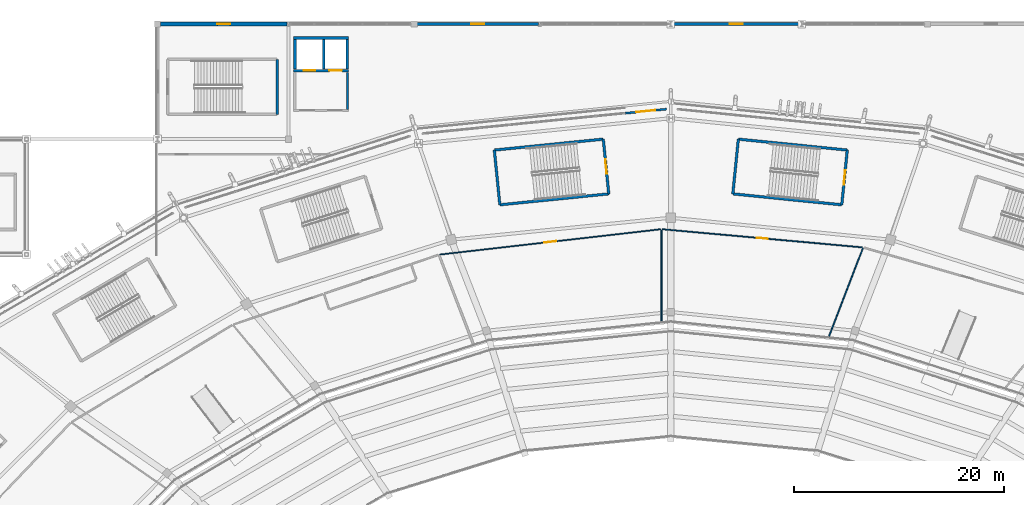
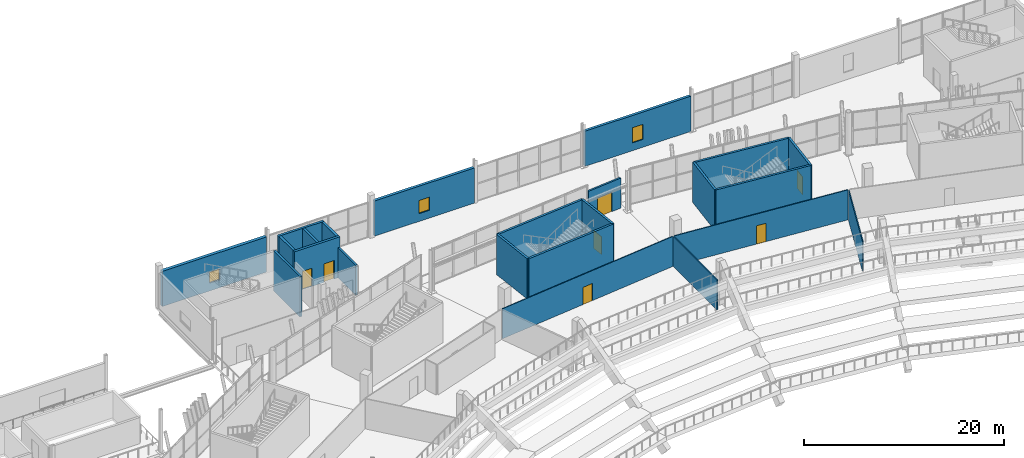
# One storey, part 131 of 178: 23 walls, 7 doors, 3 windows, 10 openings.
"""IFC4 building model written with IfcOpenShell, lengths in metres."""

from ifc_helpers import new_model, si_unit, direction, frame, frame_2d, origin, place, context, subcontext, project, spatial, rectangle, extrude, material, layer, layer_set, type_object, element, fill, save


model = new_model("IFC4")

# Units and contexts
model_context = context("Model", 3, precision=1e-05, world=origin(), true_north=direction((0.0, 1.0)))
body_context = subcontext(model_context, "Body", "Model", "MODEL_VIEW")
ifc_project = project(units=[si_unit("LENGTHUNIT", "METRE"), si_unit("AREAUNIT", "SQUARE_METRE"), si_unit("VOLUMEUNIT", "CUBIC_METRE"), si_unit("PLANEANGLEUNIT", "RADIAN"), si_unit("MASSUNIT", "GRAM", prefix="KILO")], contexts=[model_context])

# Site, building, storey
site_placement = place(None, origin())
site = spatial("IfcSite", under=ifc_project, at=site_placement, CompositionType="ELEMENT")
building_placement = place(site_placement, origin())
building = spatial("IfcBuilding", under=site, at=building_placement, Name="Zlatoyarsky Gate Stadium", CompositionType="ELEMENT")
storey_placement = place(building_placement, frame((0.0, 0.0, 5.39990234375)))
storey = spatial("IfcBuildingStorey", under=building, at=storey_placement, Name="L01", CompositionType="ELEMENT", Elevation=5.39990234375)

# Wall
ifc_material_1 = material(Name="Anodised aluminium acoustic operable wall", Category="aluminium")
ifc_layer_1 = layer(ifc_material_1, 0.114990234375)
ifc_layer_set_1 = layer_set([ifc_layer_1], Name="Anodised aluminium acoustic operable wall")
wall_type_1 = type_object("IfcWallType", Name="ACOUSTIC OPERABLE SUITE WALL 115", PredefinedType="MOVABLE", material=ifc_layer_set_1)
wall_1_placement = place(storey_placement, frame((110.1044921875, 131.57421875, 0.0), z_axis=(0.0, 0.0, 1.0), x_axis=(0.0, 1.0, 0.0)))
element("IfcWall", 1, at=wall_1_placement, inside=storey, type_object=wall_type_1, Name="L01 interior partition PRT-L01-IRD-06", PredefinedType="MOVABLE", context=body_context, shape_type="SweptSolid", body=[
    extrude(rectangle(XDim=8.75146484375, YDim=0.114990234375, at=frame_2d((4.375732421875, 0.0))), origin(), (0.0, 0.0, 1.0), 3.670166015625),
])

# Wall, opening, door
ifc_material_2 = material(Name="Gypsum-clad mineral wool fire partition", Category="gypsum")
ifc_layer_2 = layer(ifc_material_2, 0.199951171875)
ifc_layer_set_2 = layer_set([ifc_layer_2], Name="Gypsum-clad mineral wool fire partition")
wall_type_2 = type_object("IfcWallType", Name="COMPARTMENT FIRE PARTITION WALL 200", PredefinedType="PARTITIONING", material=ifc_layer_set_2)
wall_2_placement = place(storey_placement, frame((110.596923828125, 151.867919921875, 0.0), z_axis=(0.0, 0.0, 1.0), x_axis=(-0.994956287752, -0.100309448517, 0.0)))
wall_2 = element("IfcWall", 2, at=wall_2_placement, inside=storey, type_object=wall_type_2, Name="L01 interior partition PRT-PORTAL-L01-06", PredefinedType="PARTITIONING", context=body_context, shape_type="SweptSolid", body=[
    extrude(rectangle(XDim=3.9599609375, YDim=0.199951171875, at=frame_2d((1.97998046875, 0.0))), origin(), (0.0, 0.0, 1.0), 3.670166015625),
])
opening_1_placement = place(wall_2_placement, frame((1.070068359375, 0.0, 0.0)))
opening_1 = element("IfcOpeningElement", 3, at=opening_1_placement, cuts=wall_2, Name="Opening D-L01-710", PredefinedType="OPENING", context=body_context, shape_type="SweptSolid", body=[
    extrude(rectangle(XDim=1.820068359375, YDim=2.3798828125, at=frame_2d((0.91015625, 1.18994140625))), frame((0.0, 0.10986328125, 0.0), z_axis=(0.0, -1.0, 0.0), x_axis=(1.0, 0.0, 0.0)), (0.0, 0.0, 1.0), 0.219970703125),
])
ifc_material_3 = material(Name="Powder-coated steel fire door", Category="steel")
door_type_1 = type_object("IfcDoorType", Name="ACOUSTIC INTERIOR DOOR 1820X2380", OperationType="NOTDEFINED", PredefinedType="DOOR", material=ifc_material_3)
door_1_placement = place(opening_1_placement, origin())
door_1 = element("IfcDoor", 4, at=door_1_placement, inside=storey, type_object=door_type_1, Name="L01 room door D-L01-710", OperationType="SINGLE_SWING_RIGHT", OverallHeight=2.3798828125, OverallWidth=1.820068359375, PredefinedType="DOOR", context=body_context, shape_type="SweptSolid", body=[
    extrude(rectangle(XDim=1.820068359375, YDim=2.3798828125, at=frame_2d((0.91015625, 1.18994140625))), frame((0.0, 0.02490234375, 0.0), z_axis=(0.0, -1.0, 0.0), x_axis=(1.0, 0.0, 0.0)), (0.0, 0.0, 1.0), 0.050048828125),
])
fill(opening_1, door_1)

# Walls
ifc_material_4 = material(Name="Concrete C40/50", Category="concrete")
ifc_layer_3 = layer(ifc_material_4, 0.27001953125)
ifc_layer_set_3 = layer_set([ifc_layer_3], Name="Concrete C40/50")
wall_type_3 = type_object("IfcWallType", Name="CONCRETE LIFT SHAFT SHEAR WALL 270", PredefinedType="SHEAR", material=ifc_layer_set_3)
wall_3_placement = place(storey_placement, frame((80.25, 158.6650390625, 0.0), z_axis=(0.0, 0.0, 1.0), x_axis=(-1.0, 0.0, 0.0)))
element("IfcWall", 5, at=wall_3_placement, inside=storey, type_object=wall_type_3, Name="C5 L01 lift shaft rear wall", PredefinedType="SHEAR", context=body_context, shape_type="SweptSolid", body=[
    extrude(rectangle(XDim=5.25, YDim=0.27001953125, at=frame_2d((2.625, 0.0))), origin(), (0.0, 0.0, 1.0), 4.920166015625),
])
for number, where, z_axis, x_axis, name in (
    (6, (80.114990234375, 158.52001953125, 0.0), (0.0, 0.0, 1.0), (0.0, -1.0, 0.0), "C5 L01 lift shaft left wall"),
    (7, (75.135009765625, 158.52001953125, 0.0), (0.0, 0.0, 1.0), (0.0, -1.0, 0.0), "C5 L01 lift shaft right wall"),
    (8, (77.875, 158.52001953125, 0.0), (0.0, 0.0, 1.0), (0.0, -1.0, 0.0), "C5 L01 lift shaft divider 1"),
):
    element("IfcWall", number, at=place(storey_placement, frame(where, z_axis=z_axis, x_axis=x_axis)), inside=storey, type_object=wall_type_3, Name=name, PredefinedType="SHEAR", context=body_context, shape_type="SweptSolid", body=[
        extrude(rectangle(XDim=2.840087890625, YDim=0.27001953125, at=frame_2d((1.419921875, 0.0))), origin(), (0.0, 0.0, 1.0), 4.920166015625),
    ])

# Wall, openings, doors
wall_4_placement = place(storey_placement, frame((80.25, 155.534912109375, 0.0), z_axis=(0.0, 0.0, 1.0), x_axis=(-1.0, 0.0, 0.0)))
wall_4 = element("IfcWall", 9, at=wall_4_placement, inside=storey, type_object=wall_type_3, Name="C5 L01 lift landing front wall", PredefinedType="SHEAR", context=body_context, shape_type="SweptSolid", body=[
    extrude(rectangle(XDim=5.25, YDim=0.27001953125, at=frame_2d((2.625, 0.0))), origin(), (0.0, 0.0, 1.0), 4.920166015625),
])
opening_2_placement = place(wall_4_placement, frame((0.64990234375, 0.0, 0.0)))
opening_2 = element("IfcOpeningElement", 10, at=opening_2_placement, cuts=wall_4, Name="Opening LD-FL-05-L01", PredefinedType="OPENING", context=body_context, shape_type="SweptSolid", body=[
    extrude(rectangle(XDim=1.199951171875, YDim=2.25, at=frame_2d((0.60009765625, 1.125))), frame((0.0, 0.14501953125, 0.0), z_axis=(0.0, -1.0, 0.0), x_axis=(1.0, 0.0, 0.0)), (0.0, 0.0, 1.0), 0.2900390625),
])
opening_3_placement = place(wall_4_placement, frame((3.199951171875, 0.0, 0.0)))
opening_3 = element("IfcOpeningElement", 11, at=opening_3_placement, cuts=wall_4, Name="Opening LD-LF-09-L01", PredefinedType="OPENING", context=body_context, shape_type="SweptSolid", body=[
    extrude(rectangle(XDim=1.10009765625, YDim=2.199951171875, at=frame_2d((0.550048828125, 1.10009765625))), frame((0.0, 0.14501953125, 0.0), z_axis=(0.0, -1.0, 0.0), x_axis=(1.0, 0.0, 0.0)), (0.0, 0.0, 1.0), 0.2900390625),
])
door_type_2 = type_object("IfcDoorType", Name="STAINLESS LIFT LANDING SLIDING DOOR 1100X2200", OperationType="DOUBLE_DOOR_SLIDING", PredefinedType="DOOR", material=ifc_material_3)
door_2_placement = place(opening_3_placement, origin())
door_2 = element("IfcDoor", 12, at=door_2_placement, inside=storey, type_object=door_type_2, Name="Lift LF-09 L01 sliding landing door", OperationType="DOUBLE_DOOR_SLIDING", OverallHeight=2.199951171875, OverallWidth=1.10009765625, PredefinedType="DOOR", context=body_context, shape_type="SweptSolid", body=[
    extrude(rectangle(XDim=1.10009765625, YDim=2.199951171875, at=frame_2d((0.550048828125, 1.10009765625))), frame((0.0, 0.02490234375, 0.0), z_axis=(0.0, -1.0, 0.0), x_axis=(1.0, 0.0, 0.0)), (0.0, 0.0, 1.0), 0.050048828125),
])
fill(opening_3, door_2)
door_type_3 = type_object("IfcDoorType", Name="STAINLESS LIFT LANDING SLIDING DOOR 1200X2250", OperationType="DOUBLE_DOOR_SLIDING", PredefinedType="DOOR", material=ifc_material_3)
door_3_placement = place(opening_2_placement, origin())
door_3 = element("IfcDoor", 13, at=door_3_placement, inside=storey, type_object=door_type_3, Name="Lift FL-05 L01 sliding landing door", OperationType="DOUBLE_DOOR_SLIDING", OverallHeight=2.25, OverallWidth=1.199951171875, PredefinedType="DOOR", context=body_context, shape_type="SweptSolid", body=[
    extrude(rectangle(XDim=1.199951171875, YDim=2.25, at=frame_2d((0.60009765625, 1.125))), frame((0.0, 0.02490234375, 0.0), z_axis=(0.0, -1.0, 0.0), x_axis=(1.0, 0.0, 0.0)), (0.0, 0.0, 1.0), 0.050048828125),
])
fill(opening_2, door_3)

# Wall, opening, door
ifc_layer_4 = layer(ifc_material_4, 0.25)
ifc_layer_set_4 = layer_set([ifc_layer_4], Name="Concrete C40/50")
wall_type_4 = type_object("IfcWallType", Name="CONCRETE STAIR CORE SHEAR WALL 250", PredefinedType="SHEAR", material=ifc_layer_set_4)
wall_5_placement = place(storey_placement, frame((105.07861328125, 143.779052734375, 0.0), z_axis=(0.0, 0.0, 1.0), x_axis=(-0.100028593886, 0.994984562898, 0.0)))
wall_5 = element("IfcWall", 14, at=wall_5_placement, inside=storey, type_object=wall_type_4, Name="ST-04 L01 stair core entrance shear wall", PredefinedType="SHEAR", context=body_context, shape_type="SweptSolid", body=[
    extrude(rectangle(XDim=5.25, YDim=0.25, at=frame_2d((2.625, 0.0))), origin(), (0.0, 0.0, 1.0), 4.920166015625),
])
opening_4_placement = place(wall_5_placement, frame((1.925048828125, 0.0, 0.0)))
opening_4 = element("IfcOpeningElement", 15, at=opening_4_placement, cuts=wall_5, Name="Opening SD-ST-04-L01", PredefinedType="OPENING", context=body_context, shape_type="SweptSolid", body=[
    extrude(rectangle(XDim=1.39990234375, YDim=2.199951171875, at=frame_2d((0.699951171875, 1.10009765625))), frame((0.0, 0.135009765625, 0.0), z_axis=(0.0, -1.0, 0.0), x_axis=(1.0, 0.0, 0.0)), (0.0, 0.0, 1.0), 0.27001953125),
])
door_type_4 = type_object("IfcDoorType", Name="STAIR CORE FIRE EXIT DOOR 1400X2200", OperationType="NOTDEFINED", PredefinedType="DOOR", material=ifc_material_3)
door_4_placement = place(opening_4_placement, frame((1.39990234375, 0.0, 0.0), z_axis=(0.0, 0.0, 1.0), x_axis=(-1.0, 0.0, 0.0)))
door_4 = element("IfcDoor", 16, at=door_4_placement, inside=storey, type_object=door_type_4, Name="ST-04 L01 stair fire door", OperationType="SINGLE_SWING_LEFT", OverallHeight=2.199951171875, OverallWidth=1.39990234375, PredefinedType="DOOR", context=body_context, shape_type="SweptSolid", body=[
    extrude(rectangle(XDim=1.39990234375, YDim=2.199951171875, at=frame_2d((0.699951171875, 1.10009765625))), frame((0.0, 0.02490234375, 0.0), z_axis=(0.0, -1.0, 0.0), x_axis=(1.0, 0.0, 0.0)), (0.0, 0.0, 1.0), 0.050048828125),
])
fill(opening_4, door_4)

# Walls
wall_6_placement = place(storey_placement, frame((104.553466796875, 149.002685546875, 0.0), z_axis=(0.0, 0.0, 1.0), x_axis=(-0.994985938948, -0.100014905366, 0.0)))
element("IfcWall", 17, at=wall_6_placement, inside=storey, type_object=wall_type_4, Name="ST-04 L01 stair core left shear wall", PredefinedType="SHEAR", context=body_context, shape_type="SweptSolid", body=[
    extrude(rectangle(XDim=10.4501953125, YDim=0.25, at=frame_2d((5.22509765625, 0.0))), origin(), (0.0, 0.0, 1.0), 4.920166015625),
])
wall_7_placement = place(storey_placement, frame((94.15576171875, 147.95751953125, 0.0), z_axis=(0.0, 0.0, 1.0), x_axis=(0.100028593886, -0.994984562898, 0.0)))
element("IfcWall", 18, at=wall_7_placement, inside=storey, type_object=wall_type_4, Name="ST-04 L01 stair core far shear wall", PredefinedType="SHEAR", context=body_context, shape_type="SweptSolid", body=[
    extrude(rectangle(XDim=5.25, YDim=0.25, at=frame_2d((2.625, 0.0))), origin(), (0.0, 0.0, 1.0), 4.920166015625),
])
wall_8_placement = place(storey_placement, frame((94.680908203125, 142.73388671875, 0.0), z_axis=(0.0, 0.0, 1.0), x_axis=(0.994985938948, 0.100014905366, 0.0)))
element("IfcWall", 19, at=wall_8_placement, inside=storey, type_object=wall_type_4, Name="ST-04 L01 stair core right shear wall", PredefinedType="SHEAR", context=body_context, shape_type="SweptSolid", body=[
    extrude(rectangle(XDim=10.4501953125, YDim=0.25, at=frame_2d((5.22509765625, 0.0))), origin(), (0.0, 0.0, 1.0), 4.920166015625),
])

# Wall, opening, door
wall_9_placement = place(storey_placement, frame((127.319091796875, 142.73388671875, 0.0), z_axis=(0.0, 0.0, 1.0), x_axis=(0.10002396577, 0.994985028165, 0.0)))
wall_9 = element("IfcWall", 20, at=wall_9_placement, inside=storey, type_object=wall_type_4, Name="ST-17 L01 stair core entrance shear wall", PredefinedType="SHEAR", context=body_context, shape_type="SweptSolid", body=[
    extrude(rectangle(XDim=5.250244140625, YDim=0.25, at=frame_2d((2.625, 0.0))), origin(), (0.0, 0.0, 1.0), 4.920166015625),
])
opening_5_placement = place(wall_9_placement, frame((1.925048828125, 0.0, 0.0)))
opening_5 = element("IfcOpeningElement", 21, at=opening_5_placement, cuts=wall_9, Name="Opening SD-ST-17-L01", PredefinedType="OPENING", context=body_context, shape_type="SweptSolid", body=[
    extrude(rectangle(XDim=1.39990234375, YDim=2.199951171875, at=frame_2d((0.699951171875, 1.10009765625))), frame((0.0, 0.135009765625, 0.0), z_axis=(0.0, -1.0, 0.0), x_axis=(1.0, 0.0, 0.0)), (0.0, 0.0, 1.0), 0.27001953125),
])
door_5_placement = place(opening_5_placement, frame((1.39990234375, 0.0, 0.0), z_axis=(0.0, 0.0, 1.0), x_axis=(-1.0, 0.0, 0.0)))
door_5 = element("IfcDoor", 22, at=door_5_placement, inside=storey, type_object=door_type_4, Name="ST-17 L01 stair fire door", OperationType="SINGLE_SWING_LEFT", OverallHeight=2.199951171875, OverallWidth=1.39990234375, PredefinedType="DOOR", context=body_context, shape_type="SweptSolid", body=[
    extrude(rectangle(XDim=1.39990234375, YDim=2.199951171875, at=frame_2d((0.699951171875, 1.10009765625))), frame((0.0, 0.02490234375, 0.0), z_axis=(0.0, -1.0, 0.0), x_axis=(1.0, 0.0, 0.0)), (0.0, 0.0, 1.0), 0.050048828125),
])
fill(opening_5, door_5)

# Walls
wall_10_placement = place(storey_placement, frame((127.84423828125, 147.957763671875, 0.0), z_axis=(0.0, 0.0, 1.0), x_axis=(-0.994988263568, 0.09999177647, 0.0)))
element("IfcWall", 23, at=wall_10_placement, inside=storey, type_object=wall_type_4, Name="ST-17 L01 stair core left shear wall", PredefinedType="SHEAR", context=body_context, shape_type="SweptSolid", body=[
    extrude(rectangle(XDim=10.4501953125, YDim=0.25, at=frame_2d((5.22509765625, 0.0))), origin(), (0.0, 0.0, 1.0), 4.920166015625),
])
wall_11_placement = place(storey_placement, frame((117.446533203125, 149.002685546875, 0.0), z_axis=(0.0, 0.0, 1.0), x_axis=(-0.099982555566, -0.994989190184, 0.0)))
element("IfcWall", 24, at=wall_11_placement, inside=storey, type_object=wall_type_4, Name="ST-17 L01 stair core far shear wall", PredefinedType="SHEAR", context=body_context, shape_type="SweptSolid", body=[
    extrude(rectangle(XDim=5.25, YDim=0.25, at=frame_2d((2.625, 0.0))), origin(), (0.0, 0.0, 1.0), 4.920166015625),
])
wall_12_placement = place(storey_placement, frame((116.921630859375, 143.779052734375, 0.0), z_axis=(0.0, 0.0, 1.0), x_axis=(0.994985705245, -0.100017230303, 0.0)))
element("IfcWall", 25, at=wall_12_placement, inside=storey, type_object=wall_type_4, Name="ST-17 L01 stair core right shear wall", PredefinedType="SHEAR", context=body_context, shape_type="SweptSolid", body=[
    extrude(rectangle(XDim=10.449951171875, YDim=0.25, at=frame_2d((5.22509765625, 0.0))), origin(), (0.0, 0.0, 1.0), 4.920166015625),
])
wall_13_placement = place(storey_placement, frame((73.425048828125, 151.375, 0.0), z_axis=(0.0, 0.0, 1.0), x_axis=(0.0, 1.0, 0.0)))
element("IfcWall", 26, at=wall_13_placement, inside=storey, type_object=wall_type_4, Name="ST-31 L01 stair core far shear wall", PredefinedType="SHEAR", context=body_context, shape_type="SweptSolid", body=[
    extrude(rectangle(XDim=5.25, YDim=0.25, at=frame_2d((2.625, 0.0))), origin(), (0.0, 0.0, 1.0), 4.920166015625),
])
ifc_material_5 = material(Name="Autoclaved aerated concrete masonry EI 120", Category="masonry")
ifc_layer_5 = layer(ifc_material_5, 0.219970703125)
ifc_layer_set_5 = layer_set([ifc_layer_5], Name="Autoclaved aerated concrete masonry EI 120")
wall_type_5 = type_object("IfcWallType", Name="FIREFIGHTING LOBBY RATED WALL 220", PredefinedType="PARTITIONING", material=ifc_layer_set_5)
wall_14_placement = place(storey_placement, frame((80.139892578125, 155.3798828125, 0.0), z_axis=(0.0, 0.0, 1.0), x_axis=(0.0, -1.0, 0.0)))
element("IfcWall", 27, at=wall_14_placement, inside=storey, type_object=wall_type_5, Name="C5 L01 firefighting lobby left wall", PredefinedType="PARTITIONING", context=body_context, shape_type="SweptSolid", body=[
    extrude(rectangle(XDim=3.52978515625, YDim=0.219970703125, at=frame_2d((1.764892578125, 0.0))), origin(), (0.0, 0.0, 1.0), 3.670166015625),
])

# Wall, opening, door
ifc_material_6 = material(Name="Timber-veneered acoustic operable partition", Category="wood")
ifc_layer_6 = layer(ifc_material_6, 0.094970703125)
ifc_layer_set_6 = layer_set([ifc_layer_6], Name="Timber-veneered acoustic operable partition")
wall_type_6 = type_object("IfcWallType", Name="FOLDING BANQUET SALON WALL 95", PredefinedType="MOVABLE", material=ifc_layer_set_6)
wall_15_placement = place(storey_placement, frame((110.02001953125, 140.40087890625, 0.0), z_axis=(0.0, 0.0, 1.0), x_axis=(-0.993483598134, -0.113975173782, 0.0)))
wall_15 = element("IfcWall", 28, at=wall_15_placement, inside=storey, type_object=wall_type_6, Name="L01 vomitory portal wall PRT-L01-ICC-06", PredefinedType="MOVABLE", context=body_context, shape_type="SweptSolid", body=[
    extrude(rectangle(XDim=21.206298828125, YDim=0.094970703125, at=frame_2d((10.60302734375, 0.0))), origin(), (0.0, 0.0, 1.0), 3.670166015625),
])
opening_6_placement = place(wall_15_placement, frame((10.023193359375, 0.0, 0.0)))
opening_6 = element("IfcOpeningElement", 29, at=opening_6_placement, cuts=wall_15, Name="Opening D-L01-229", PredefinedType="OPENING", context=body_context, shape_type="SweptSolid", body=[
    extrude(rectangle(XDim=1.159912109375, YDim=2.10009765625, at=frame_2d((0.580078125, 1.050048828125))), frame((0.0, 0.057373046875, 0.0), z_axis=(0.0, -1.0, 0.0), x_axis=(1.0, 0.0, 0.0)), (0.0, 0.0, 1.0), 0.114990234375),
])
ifc_material_7 = material(Name="Solid-core oak veneer acoustic door", Category="wood")
door_type_5 = type_object("IfcDoorType", Name="ACOUSTIC INTERIOR DOOR 1160X2100", OperationType="NOTDEFINED", PredefinedType="DOOR", material=ifc_material_7)
door_6_placement = place(opening_6_placement, origin())
door_6 = element("IfcDoor", 30, at=door_6_placement, inside=storey, type_object=door_type_5, Name="L01 vomitory portal door D-L01-229", OperationType="SINGLE_SWING_LEFT", OverallHeight=2.10009765625, OverallWidth=1.159912109375, PredefinedType="DOOR", context=body_context, shape_type="SweptSolid", body=[
    extrude(rectangle(XDim=1.159912109375, YDim=2.10009765625, at=frame_2d((0.580078125, 1.050048828125))), frame((0.0, 0.02490234375, 0.0), z_axis=(0.0, -1.0, 0.0), x_axis=(1.0, 0.0, 0.0)), (0.0, 0.0, 1.0), 0.050048828125),
])
fill(opening_6, door_6)

# Wall, opening, window
ifc_material_8 = material(Name="Limestone-faced insulated masonry wall", Category="masonry")
ifc_layer_7 = layer(ifc_material_8, 0.300048828125)
ifc_layer_set_7 = layer_set([ifc_layer_7], Name="Limestone-faced insulated masonry wall")
wall_type_7 = type_object("IfcWallType", Name="INSULATED PAVILION FACADE WALL 300", PredefinedType="STANDARD", material=ifc_layer_set_7)
wall_16_placement = place(storey_placement, frame((111.14697265625, 160.0, 0.0), z_axis=(0.0, 0.0, 1.0), x_axis=(1.0, 0.0, 0.0)))
wall_16 = element("IfcWall", 31, at=wall_16_placement, inside=storey, type_object=wall_type_7, Name="V2_NORTH L01 N exterior wall", PredefinedType="STANDARD", context=body_context, shape_type="SweptSolid", body=[
    extrude(rectangle(XDim=12.2060546875, YDim=0.300048828125, at=frame_2d((6.10302734375, 0.0))), origin(), (0.0, 0.0, 1.0), 4.300048828125),
])
opening_7_placement = place(wall_16_placement, frame((5.5029296875, 0.0, 0.949951171875)))
opening_7 = element("IfcOpeningElement", 32, at=opening_7_placement, cuts=wall_16, Name="Opening WN-03", PredefinedType="OPENING", context=body_context, shape_type="SweptSolid", body=[
    extrude(rectangle(XDim=1.199951171875, YDim=1.85009765625, at=frame_2d((0.60009765625, 0.925048828125))), frame((0.0, 0.159912109375, 0.0), z_axis=(0.0, -1.0, 0.0), x_axis=(1.0, 0.0, 0.0)), (0.0, 0.0, 1.0), 0.320068359375),
])
ifc_material_9 = material(Name="Triple-glazed thermally broken aluminium window", Category="aluminium")
window_type_1 = type_object("IfcWindowType", Name="TRIPLE GLAZED ALUMINIUM WINDOW 1200X1850", PartitioningType="SINGLE_PANEL", PredefinedType="WINDOW", material=ifc_material_9)
window_1_placement = place(opening_7_placement, origin())
window_1 = element("IfcWindow", 33, at=window_1_placement, inside=storey, type_object=window_type_1, Name="Exterior window WIN-L01-003", OverallHeight=1.85009765625, OverallWidth=1.199951171875, PartitioningType="SINGLE_PANEL", PredefinedType="WINDOW", context=body_context, shape_type="SweptSolid", body=[
    extrude(rectangle(XDim=1.199951171875, YDim=1.85009765625, at=frame_2d((0.60009765625, 0.925048828125))), frame((0.0, 0.030029296875, 0.0), z_axis=(0.0, -1.0, 0.0), x_axis=(1.0, 0.0, 0.0)), (0.0, 0.0, 1.0), 0.06005859375),
])
fill(opening_7, window_1)

# Wall
ifc_material_10 = material(Name="Metal-stud gypsum partition", Category="gypsum")
ifc_layer_8 = layer(ifc_material_10, 0.110107421875)
ifc_layer_set_8 = layer_set([ifc_layer_8], Name="Metal-stud gypsum partition")
wall_type_8 = type_object("IfcWallType", Name="KIOSK SERVICE PARTITION 110", PredefinedType="PARTITIONING", material=ifc_layer_set_8)
wall_17_placement = place(storey_placement, frame((126.077880859375, 130.1337890625, 0.0), z_axis=(0.0, 0.0, 1.0), x_axis=(0.359493686517, 0.933147517467, 0.0)))
element("IfcWall", 34, at=wall_17_placement, inside=storey, type_object=wall_type_8, Name="L01 interior partition PRT-L01-IRD-05", PredefinedType="PARTITIONING", context=body_context, shape_type="SweptSolid", body=[
    extrude(rectangle(XDim=9.0595703125, YDim=0.110107421875, at=frame_2d((4.52978515625, 0.0))), origin(), (0.0, 0.0, 1.0), 3.670166015625),
])

# Wall, opening, door
ifc_layer_9 = layer(ifc_material_10, 0.10009765625)
ifc_layer_set_9 = layer_set([ifc_layer_9], Name="Metal-stud gypsum partition")
wall_type_9 = type_object("IfcWallType", Name="LIGHT STORAGE PARTITION 100", PredefinedType="PARTITIONING", material=ifc_layer_set_9)
wall_18_placement = place(storey_placement, frame((129.280517578125, 138.674560546875, 0.0), z_axis=(0.0, 0.0, 1.0), x_axis=(-0.995927480172, 0.090157940512, 0.0)))
wall_18 = element("IfcWall", 35, at=wall_18_placement, inside=storey, type_object=wall_type_9, Name="L01 interior partition PRT-L01-ICC-05", PredefinedType="PARTITIONING", context=body_context, shape_type="SweptSolid", body=[
    extrude(rectangle(XDim=19.16943359375, YDim=0.10009765625, at=frame_2d((9.584716796875, 0.0))), origin(), (0.0, 0.0, 1.0), 3.670166015625),
])
opening_8_placement = place(wall_18_placement, frame((9.044677734375, 0.0, 0.0)))
opening_8 = element("IfcOpeningElement", 36, at=opening_8_placement, cuts=wall_18, Name="Opening D-L01-227", PredefinedType="OPENING", context=body_context, shape_type="SweptSolid", body=[
    extrude(rectangle(XDim=1.080078125, YDim=2.239990234375, at=frame_2d((0.5400390625, 1.1201171875))), frame((0.0, 0.06005859375, 0.0), z_axis=(0.0, -1.0, 0.0), x_axis=(1.0, 0.0, 0.0)), (0.0, 0.0, 1.0), 0.1201171875),
])
door_type_6 = type_object("IfcDoorType", Name="ACOUSTIC INTERIOR DOOR 1080X2240", OperationType="NOTDEFINED", PredefinedType="DOOR", material=ifc_material_7)
door_7_placement = place(opening_8_placement, origin())
door_7 = element("IfcDoor", 37, at=door_7_placement, inside=storey, type_object=door_type_6, Name="L01 room door D-L01-227", OperationType="SINGLE_SWING_RIGHT", OverallHeight=2.239990234375, OverallWidth=1.080078125, PredefinedType="DOOR", context=body_context, shape_type="SweptSolid", body=[
    extrude(rectangle(XDim=1.080078125, YDim=2.239990234375, at=frame_2d((0.5400390625, 1.1201171875))), frame((0.0, 0.02490234375, 0.0), z_axis=(0.0, -1.0, 0.0), x_axis=(1.0, 0.0, 0.0)), (0.0, 0.0, 1.0), 0.050048828125),
])
fill(opening_8, door_7)

# Wall, opening, window
ifc_layer_10 = layer(ifc_material_8, 0.360107421875)
ifc_layer_set_10 = layer_set([ifc_layer_10], Name="Limestone-faced insulated masonry wall")
wall_type_10 = type_object("IfcWallType", Name="LIMESTONE CLAD CAVITY WALL 360", PredefinedType="STANDARD", material=ifc_layer_set_10)
wall_19_placement = place(storey_placement, frame((62.297119140625, 160.0, 0.0), z_axis=(0.0, 0.0, 1.0), x_axis=(1.0, 0.0, 0.0)))
wall_19 = element("IfcWall", 38, at=wall_19_placement, inside=storey, type_object=wall_type_10, Name="V2_NORTH L01 N exterior wall", PredefinedType="STANDARD", context=body_context, shape_type="SweptSolid", body=[
    extrude(rectangle(XDim=12.055908203125, YDim=0.360107421875, at=frame_2d((6.02783203125, 0.0))), origin(), (0.0, 0.0, 1.0), 4.300048828125),
])
opening_9_placement = place(wall_19_placement, frame((5.427978515625, 0.0, 0.949951171875)))
opening_9 = element("IfcOpeningElement", 39, at=opening_9_placement, cuts=wall_19, Name="Opening WN-01", PredefinedType="OPENING", context=body_context, shape_type="SweptSolid", body=[
    extrude(rectangle(XDim=1.199951171875, YDim=1.35009765625, at=frame_2d((0.60009765625, 0.675048828125))), frame((0.0, 0.18994140625, 0.0), z_axis=(0.0, -1.0, 0.0), x_axis=(1.0, 0.0, 0.0)), (0.0, 0.0, 1.0), 0.380126953125),
])
window_type_2 = type_object("IfcWindowType", Name="TRIPLE GLAZED ALUMINIUM WINDOW 1200X1350", PartitioningType="SINGLE_PANEL", PredefinedType="WINDOW", material=ifc_material_9)
window_2_placement = place(opening_9_placement, origin())
window_2 = element("IfcWindow", 40, at=window_2_placement, inside=storey, type_object=window_type_2, Name="Exterior window WIN-L01-001", OverallHeight=1.35009765625, OverallWidth=1.199951171875, PartitioningType="SINGLE_PANEL", PredefinedType="WINDOW", context=body_context, shape_type="SweptSolid", body=[
    extrude(rectangle(XDim=1.199951171875, YDim=1.35009765625, at=frame_2d((0.60009765625, 0.675048828125))), frame((0.0, 0.030029296875, 0.0), z_axis=(0.0, -1.0, 0.0), x_axis=(1.0, 0.0, 0.0)), (0.0, 0.0, 1.0), 0.06005859375),
])
fill(opening_9, window_2)

ifc_material_11 = material(Name="Precast concrete C40/50 architectural panel", Category="concrete")
ifc_layer_11 = layer(ifc_material_11, 0.320068359375)
ifc_layer_set_11 = layer_set([ifc_layer_11], Name="Precast concrete C40/50 architectural panel")
wall_type_11 = type_object("IfcWallType", Name="PRECAST TERRACOTTA FACADE WALL 320", PredefinedType="STANDARD", material=ifc_layer_set_11)
wall_20_placement = place(storey_placement, frame((86.797119140625, 160.0, 0.0), z_axis=(0.0, 0.0, 1.0), x_axis=(1.0, 0.0, 0.0)))
wall_20 = element("IfcWall", 41, at=wall_20_placement, inside=storey, type_object=wall_type_11, Name="V2_NORTH L01 N exterior wall", PredefinedType="STANDARD", context=body_context, shape_type="SweptSolid", body=[
    extrude(rectangle(XDim=11.555908203125, YDim=0.320068359375, at=frame_2d((5.77783203125, 0.0))), origin(), (0.0, 0.0, 1.0), 4.300048828125),
])
opening_10_placement = place(wall_20_placement, frame((5.177978515625, 0.0, 0.949951171875)))
opening_10 = element("IfcOpeningElement", 42, at=opening_10_placement, cuts=wall_20, Name="Opening WN-02", PredefinedType="OPENING", context=body_context, shape_type="SweptSolid", body=[
    extrude(rectangle(XDim=1.199951171875, YDim=1.60009765625, at=frame_2d((0.60009765625, 0.800048828125))), frame((0.0, 0.169921875, 0.0), z_axis=(0.0, -1.0, 0.0), x_axis=(1.0, 0.0, 0.0)), (0.0, 0.0, 1.0), 0.340087890625),
])
window_type_3 = type_object("IfcWindowType", Name="TRIPLE GLAZED ALUMINIUM WINDOW 1200X1600", PartitioningType="SINGLE_PANEL", PredefinedType="WINDOW", material=ifc_material_9)
window_3_placement = place(opening_10_placement, origin())
window_3 = element("IfcWindow", 43, at=window_3_placement, inside=storey, type_object=window_type_3, Name="Exterior window WIN-L01-002", OverallHeight=1.60009765625, OverallWidth=1.199951171875, PartitioningType="SINGLE_PANEL", PredefinedType="WINDOW", context=body_context, shape_type="SweptSolid", body=[
    extrude(rectangle(XDim=1.199951171875, YDim=1.60009765625, at=frame_2d((0.60009765625, 0.800048828125))), frame((0.0, 0.030029296875, 0.0), z_axis=(0.0, -1.0, 0.0), x_axis=(1.0, 0.0, 0.0)), (0.0, 0.0, 1.0), 0.06005859375),
])
fill(opening_10, window_3)

save(model, "model.ifc")
